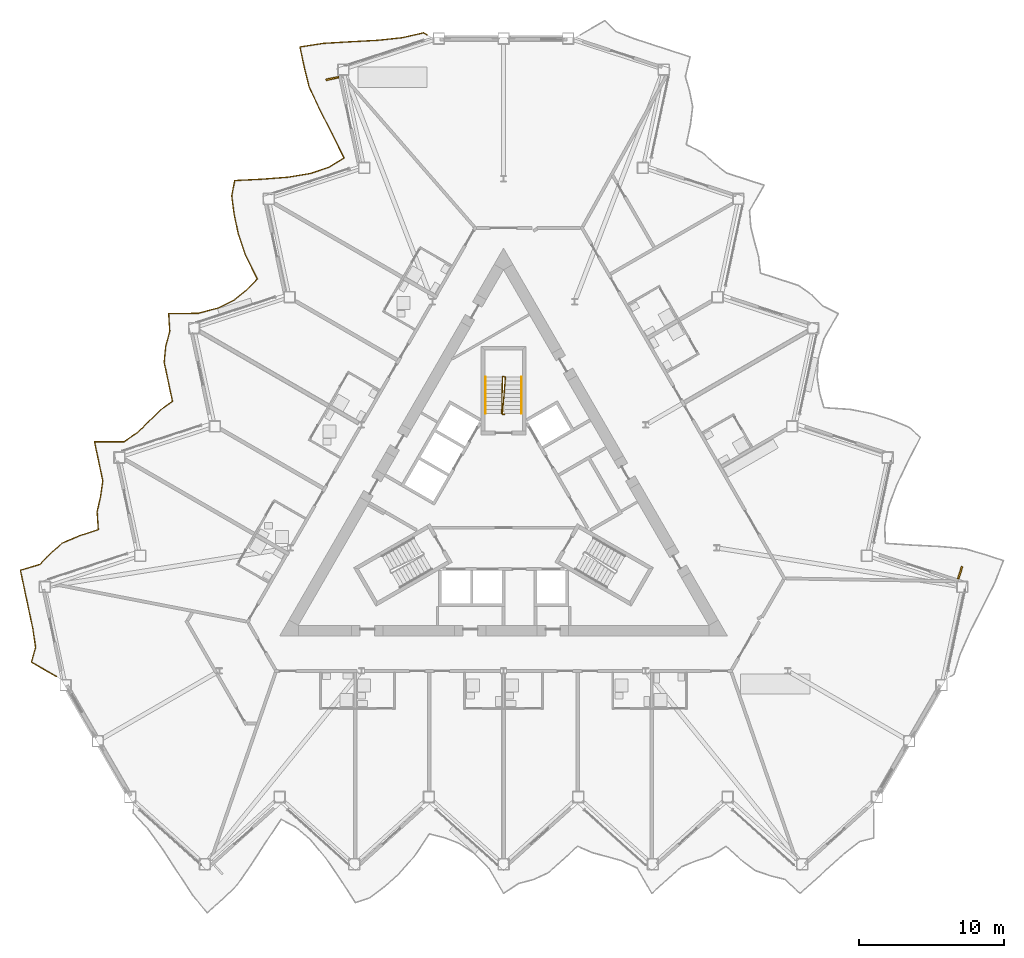
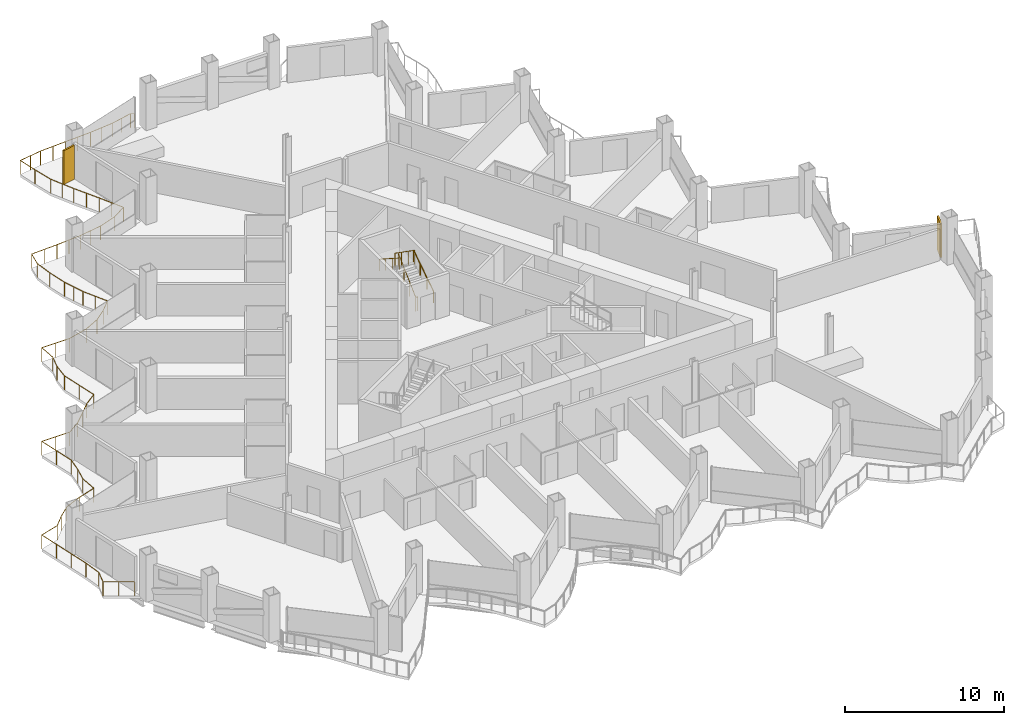
# One storey, part 20 of 23: 4 railings, 2 shading devices.
"""IFC4 building model written with IfcOpenShell, lengths in metres."""

from ifc_helpers import new_model, si_unit, direction, frame, origin, origin_2d, place, context, subcontext, project, spatial, rectangle, circle, extrude, material, layer, layer_set, type_object, element, save


model = new_model("IFC4")

# Units and contexts
model_context = context("Model", 3, precision=1e-05, world=origin(), true_north=direction((0.0, 1.0)))
body_context = subcontext(model_context, "Body", "Model", "MODEL_VIEW")
ifc_project = project(units=[si_unit("LENGTHUNIT", "METRE"), si_unit("AREAUNIT", "SQUARE_METRE"), si_unit("VOLUMEUNIT", "CUBIC_METRE"), si_unit("PLANEANGLEUNIT", "RADIAN"), si_unit("MASSUNIT", "GRAM", prefix="KILO")], contexts=[model_context])

# Site, building, storey
site_placement = place(None, origin())
site = spatial("IfcSite", under=ifc_project, at=site_placement, CompositionType="ELEMENT")
building_placement = place(site_placement, origin())
building = spatial("IfcBuilding", under=site, at=building_placement, Name="Cormorant Prow Tower", CompositionType="ELEMENT")
storey_placement = place(building_placement, frame((0.0, 0.0, 187.199951171875)))
storey = spatial("IfcBuildingStorey", under=building, at=storey_placement, Name="L40", CompositionType="ELEMENT", Elevation=187.199951171875)

# Railings
ifc_material_1 = material(Name="Aluminium 6063-T6", Category="aluminium")
railing_type_1 = type_object("IfcRailingType", Name="Balcony guard 1100", PredefinedType="GUARDRAIL", material=ifc_material_1)
railing_1_placement = place(storey_placement, frame((-5.30078125, 32.661865234375, 0.0)))
element("IfcRailing", 1, at=railing_1_placement, inside=storey, type_object=railing_type_1, Name="Balcony guard WNW", PredefinedType="GUARDRAIL", context=body_context, shape_type="SweptSolid", body=[
    extrude(circle(Radius=0.02392578125, at=origin_2d()), frame((0.0, 0.0, 1.076171875), z_axis=(-0.866065156741, 0.499931139538, 0.0), x_axis=(-0.499931139538, -0.866065156741, 0.0)), (0.0, 0.0, 1.0), 0.27001953125),
    extrude(circle(Radius=0.02392578125, at=origin_2d()), frame((-0.23388671875, 0.135009765625, 1.076171875), z_axis=(-0.974644719634, -0.223758062401, 0.0), x_axis=(0.223758062401, -0.974644719634, 0.0)), (0.0, 0.0, 1.0), 1.505615234375),
    extrude(circle(Radius=0.02392578125, at=origin_2d()), frame((-1.701416015625, -0.201904296875, 1.076171875), z_axis=(-0.994449269321, -0.105217159941, 0.0), x_axis=(0.105217159941, -0.994449269321, 0.0)), (0.0, 0.0, 1.0), 1.74267578125),
    extrude(circle(Radius=0.02392578125, at=origin_2d()), frame((-3.434326171875, -0.38525390625, 1.076171875), z_axis=(-0.99859695624, -0.052953932694, 0.0), x_axis=(0.052953932694, -0.99859695624, 0.0)), (0.0, 0.0, 1.0), 1.881103515625),
    extrude(circle(Radius=0.02392578125, at=origin_2d()), frame((-5.312744140625, -0.48486328125, 1.076171875), z_axis=(-0.998270307196, -0.058791102824, 0.0), x_axis=(0.058791102824, -0.998270307196, 0.0)), (0.0, 0.0, 1.0), 1.864501953125),
    extrude(circle(Radius=0.02392578125, at=origin_2d()), frame((-7.174072265625, -0.594482421875, 1.076171875), z_axis=(-0.98797780266, -0.154595800235, 0.0), x_axis=(0.154595800235, -0.98797780266, 0.0)), (0.0, 0.0, 1.0), 1.6328125),
    extrude(circle(Radius=0.02392578125, at=origin_2d()), frame((-8.787353515625, -0.846923828125, 1.076171875), z_axis=(0.207873566928, -0.97815570344, 0.0), x_axis=(0.97815570344, 0.207873566928, 0.0)), (0.0, 0.0, 1.0), 1.3798828125),
    extrude(circle(Radius=0.02392578125, at=origin_2d()), frame((-8.50048828125, -2.19677734375, 1.076171875), z_axis=(0.23657564466, -0.971613073375, 0.0), x_axis=(0.971613073375, 0.23657564466, 0.0)), (0.0, 0.0, 1.0), 1.41796875),
    extrude(circle(Radius=0.02392578125, at=origin_2d()), frame((-8.1650390625, -3.574462890625, 1.076171875), z_axis=(0.420257343477, -0.907404962106, 0.0), x_axis=(0.907404962106, 0.420257343477, 0.0)), (0.0, 0.0, 1.0), 1.78125),
    extrude(circle(Radius=0.02392578125, at=origin_2d()), frame((-7.41650390625, -5.190673828125, 1.076171875), z_axis=(0.456536814746, -0.889704522177, 0.0), x_axis=(0.889704522177, 0.456536814746, 0.0)), (0.0, 0.0, 1.0), 1.890869140625),
    extrude(circle(Radius=0.02392578125, at=origin_2d()), frame((-6.55322265625, -6.873046875, 1.076171875), z_axis=(0.440945101429, -0.897534075969, 0.0), x_axis=(0.897534075969, 0.440945101429, 0.0)), (0.0, 0.0, 1.0), 1.841552734375),
    extrude(circle(Radius=0.02392578125, at=origin_2d()), frame((-5.7412109375, -8.52587890625, 1.076171875), z_axis=(-0.849445527485, -0.527676317296, 0.0), x_axis=(0.527676317296, -0.849445527485, 0.0)), (0.0, 0.0, 1.0), 1.1630859375),
    extrude(circle(Radius=0.02392578125, at=origin_2d()), frame((-6.729248046875, -9.1396484375, 1.076171875), z_axis=(-0.945060911666, -0.326894284504, 0.0), x_axis=(0.326894284504, -0.945060911666, 0.0)), (0.0, 0.0, 1.0), 1.35693359375),
    extrude(circle(Radius=0.02392578125, at=origin_2d()), frame((-8.01171875, -9.583251953125, 1.076171875), z_axis=(-0.985922013231, -0.16720581278, 0.0), x_axis=(0.16720581278, -0.985922013231, 0.0)), (0.0, 0.0, 1.0), 1.607666015625),
    extrude(circle(Radius=0.02392578125, at=origin_2d()), frame((-9.5966796875, -9.85205078125, 1.076171875), z_axis=(-0.997045774989, -0.076809651581, 0.0), x_axis=(0.076809651581, -0.997045774989, 0.0)), (0.0, 0.0, 1.0), 1.81494140625),
    extrude(circle(Radius=0.02392578125, at=origin_2d()), frame((-11.40625, -9.991455078125, 1.076171875), z_axis=(-0.998824863504, -0.048465369554, 0.0), x_axis=(0.048465369554, -0.998824863504, 0.0)), (0.0, 0.0, 1.0), 1.89404296875),
    extrude(circle(Radius=0.02392578125, at=origin_2d()), frame((-13.298095703125, -10.083251953125, 1.076171875), z_axis=(-0.19234641595, -0.981327089339, 0.0), x_axis=(0.981327089339, -0.19234641595, 0.0)), (0.0, 0.0, 1.0), 1.083984375),
    extrude(circle(Radius=0.02392578125, at=origin_2d()), frame((-13.506591796875, -11.14697265625, 1.076171875), z_axis=(0.12845755255, -0.991715008051, 0.0), x_axis=(0.991715008051, 0.12845755255, 0.0)), (0.0, 0.0, 1.0), 1.29052734375),
    extrude(circle(Radius=0.02392578125, at=origin_2d()), frame((-13.3408203125, -12.4267578125, 1.076171875), z_axis=(0.208078831639, -0.97811205893, 0.0), x_axis=(0.97811205893, 0.208078831639, 0.0)), (0.0, 0.0, 1.0), 1.3798828125),
    extrude(circle(Radius=0.02392578125, at=origin_2d()), frame((-13.0537109375, -13.7763671875, 1.076171875), z_axis=(0.320795668286, -0.947148425121, 0.0), x_axis=(0.947148425121, 0.320795668286, 0.0)), (0.0, 0.0, 1.0), 1.553955078125),
    extrude(circle(Radius=0.02392578125, at=origin_2d()), frame((-12.55517578125, -15.248291015625, 1.076171875), z_axis=(0.44142979612, -0.897295790193, 0.0), x_axis=(0.897295790193, 0.44142979612, 0.0)), (0.0, 0.0, 1.0), 1.84326171875),
    extrude(circle(Radius=0.02392578125, at=origin_2d()), frame((-11.741455078125, -16.90234375, 1.076171875), z_axis=(-0.696524325423, -0.717533179786, 0.0), x_axis=(0.717533179786, -0.696524325423, 0.0)), (0.0, 0.0, 1.0), 1.0576171875),
    extrude(circle(Radius=0.02392578125, at=origin_2d()), frame((-12.47802734375, -17.6611328125, 1.076171875), z_axis=(-0.776576356837, -0.630023144021, 0.0), x_axis=(0.630023144021, -0.776576356837, 0.0)), (0.0, 0.0, 1.0), 1.097900390625),
    extrude(circle(Radius=0.02392578125, at=origin_2d()), frame((-13.33056640625, -18.352783203125, 1.076171875), z_axis=(-0.89486357373, -0.446339763422, 0.0), x_axis=(0.446339763422, -0.89486357373, 0.0)), (0.0, 0.0, 1.0), 1.229736328125),
    extrude(circle(Radius=0.02392578125, at=origin_2d()), frame((-14.430908203125, -18.901611328125, 1.076171875), z_axis=(-0.967091903603, -0.254427298036, 0.0), x_axis=(0.254427298036, -0.967091903603, 0.0)), (0.0, 0.0, 1.0), 1.45654296875),
    extrude(circle(Radius=0.02392578125, at=origin_2d()), frame((-15.839599609375, -19.272216796875, 1.076171875), z_axis=(-0.999986664005, -0.005164475925, 0.0), x_axis=(0.005164475925, -0.999986664005, 0.0)), (0.0, 0.0, 1.0), 2.03271484375),
    extrude(circle(Radius=0.02392578125, at=origin_2d()), frame((-17.872314453125, -19.28271484375, 1.076171875), z_axis=(0.064560408619, -0.997913800706, 0.0), x_axis=(0.997913800706, 0.064560408619, 0.0)), (0.0, 0.0, 1.0), 1.23291015625),
    extrude(circle(Radius=0.02392578125, at=origin_2d()), frame((-17.792724609375, -20.512939453125, 1.076171875), z_axis=(-0.262201785717, -0.965013069117, 0.0), x_axis=(0.965013069117, -0.262201785717, 0.0)), (0.0, 0.0, 1.0), 1.060546875),
    extrude(circle(Radius=0.02392578125, at=origin_2d()), frame((-18.07080078125, -21.536376953125, 1.076171875), z_axis=(-0.097786178381, -0.995207447379, 0.0), x_axis=(0.995207447379, -0.097786178381, 0.0)), (0.0, 0.0, 1.0), 1.1259765625),
    extrude(circle(Radius=0.02392578125, at=origin_2d()), frame((-18.180908203125, -22.656982421875, 1.076171875), z_axis=(0.207909545351, -0.978148056764, 0.0), x_axis=(0.978148056764, 0.207909545351, 0.0)), (0.0, 0.0, 1.0), 1.379638671875),
    extrude(circle(Radius=0.02392578125, at=origin_2d()), frame((-17.89404296875, -24.006591796875, 1.076171875), z_axis=(0.207909545351, -0.978148056764, 0.0), x_axis=(0.978148056764, 0.207909545351, 0.0)), (0.0, 0.0, 1.0), 1.379638671875),
    extrude(circle(Radius=0.02392578125, at=origin_2d()), frame((-17.607177734375, -25.356201171875, 1.076171875), z_axis=(-0.80659197974, -0.591108601036, 0.0), x_axis=(0.591108601036, -0.80659197974, 0.0)), (0.0, 0.0, 1.0), 1.12060546875),
    extrude(circle(Radius=0.02392578125, at=origin_2d()), frame((-18.510986328125, -26.0185546875, 1.076171875), z_axis=(-0.703411981113, -0.710782375152, 0.0), x_axis=(0.710782375152, -0.703411981113, 0.0)), (0.0, 0.0, 1.0), 1.06005859375),
    extrude(circle(Radius=0.02392578125, at=origin_2d()), frame((-19.256591796875, -26.77197265625, 1.076171875), z_axis=(-0.71733824833, -0.696725080274, 0.0), x_axis=(0.696725080274, -0.71733824833, 0.0)), (0.0, 0.0, 1.0), 1.06591796875),
    extrude(circle(Radius=0.02392578125, at=origin_2d()), frame((-20.021240234375, -27.5146484375, 1.076171875), z_axis=(-0.826195568919, -0.563383423521, 0.0), x_axis=(0.563383423521, -0.826195568919, 0.0)), (0.0, 0.0, 1.0), 1.137939453125),
    extrude(circle(Radius=0.02392578125, at=origin_2d()), frame((-20.96142578125, -28.15576171875, 1.076171875), z_axis=(-0.999993542812, -0.003593651927, 0.0), x_axis=(0.003593651927, -0.999993542812, 0.0)), (0.0, 0.0, 1.0), 2.0380859375),
    extrude(circle(Radius=0.02392578125, at=origin_2d()), frame((-22.99951171875, -28.1630859375, 1.076171875), z_axis=(0.207873566928, -0.97815570344, 0.0), x_axis=(0.97815570344, 0.207873566928, 0.0)), (0.0, 0.0, 1.0), 1.3798828125),
    extrude(circle(Radius=0.02392578125, at=origin_2d()), frame((-22.712646484375, -29.512939453125, 1.076171875), z_axis=(0.207909545351, -0.978148056764, 0.0), x_axis=(0.978148056764, 0.207909545351, 0.0)), (0.0, 0.0, 1.0), 1.379638671875),
    extrude(circle(Radius=0.02392578125, at=origin_2d()), frame((-22.42578125, -30.862548828125, 1.076171875), z_axis=(-0.141637897533, -0.989918535023, 0.0), x_axis=(0.989918535023, -0.141637897533, 0.0)), (0.0, 0.0, 1.0), 1.10498046875),
    extrude(circle(Radius=0.02392578125, at=origin_2d()), frame((-22.582275390625, -31.956298828125, 1.076171875), z_axis=(-0.220805245859, -0.975317919143, 0.0), x_axis=(0.975317919143, -0.220805245859, 0.0)), (0.0, 0.0, 1.0), 1.07373046875),
    extrude(circle(Radius=0.02392578125, at=origin_2d()), frame((-22.8193359375, -33.00341796875, 1.076171875), z_axis=(0.068734306145, -0.997635000969, 0.0), x_axis=(0.997635000969, 0.068734306145, 0.0)), (0.0, 0.0, 1.0), 1.236083984375),
    extrude(circle(Radius=0.02392578125, at=origin_2d()), frame((-22.734375, -34.236572265625, 1.076171875), z_axis=(-0.951027567221, -0.309106076267, 0.0), x_axis=(0.309106076267, -0.951027567221, 0.0)), (0.0, 0.0, 1.0), 1.3798828125),
    extrude(circle(Radius=0.02392578125, at=origin_2d()), frame((-24.046630859375, -34.6630859375, 1.076171875), z_axis=(-0.920623197866, -0.390452209048, 0.0), x_axis=(0.390452209048, -0.920623197866, 0.0)), (0.0, 0.0, 1.0), 1.284423828125),
    extrude(circle(Radius=0.02392578125, at=origin_2d()), frame((-25.22900390625, -35.16455078125, 1.076171875), z_axis=(-0.751192006411, -0.660083759461, 0.0), x_axis=(0.660083759461, -0.751192006411, 0.0)), (0.0, 0.0, 1.0), 1.08251953125),
    extrude(circle(Radius=0.02392578125, at=origin_2d()), frame((-26.042236328125, -35.879150390625, 1.076171875), z_axis=(-0.693690548445, -0.720273158599, 0.0), x_axis=(0.720273158599, -0.693690548445, 0.0)), (0.0, 0.0, 1.0), 1.05615234375),
    extrude(circle(Radius=0.02392578125, at=origin_2d()), frame((-26.77490234375, -36.639892578125, 1.076171875), z_axis=(-0.958163778931, -0.286220496722, 0.0), x_axis=(0.286220496722, -0.958163778931, 0.0)), (0.0, 0.0, 1.0), 1.410888671875),
    extrude(circle(Radius=0.02392578125, at=origin_2d()), frame((-28.126708984375, -37.043701171875, 1.076171875), z_axis=(0.207909545351, -0.978148056764, 0.0), x_axis=(0.978148056764, 0.207909545351, 0.0)), (0.0, 0.0, 1.0), 1.379638671875),
    extrude(circle(Radius=0.02392578125, at=origin_2d()), frame((-27.83984375, -38.393310546875, 1.076171875), z_axis=(0.207909545351, -0.978148056764, 0.0), x_axis=(0.978148056764, 0.207909545351, 0.0)), (0.0, 0.0, 1.0), 1.379638671875),
    extrude(circle(Radius=0.02392578125, at=origin_2d()), frame((-27.552978515625, -39.742919921875, 1.076171875), z_axis=(0.207873566928, -0.97815570344, 0.0), x_axis=(0.97815570344, 0.207873566928, 0.0)), (0.0, 0.0, 1.0), 1.3798828125),
    extrude(circle(Radius=0.02392578125, at=origin_2d()), frame((-27.26611328125, -41.0927734375, 1.076171875), z_axis=(0.146278178224, -0.9892434961, 0.0), x_axis=(0.9892434961, 0.146278178224, 0.0)), (0.0, 0.0, 1.0), 1.30859375),
    extrude(circle(Radius=0.02392578125, at=origin_2d()), frame((-27.07470703125, -42.38720703125, 1.076171875), z_axis=(-0.272830477593, -0.962062124032, 0.0), x_axis=(0.962062124032, -0.272830477593, 0.0)), (0.0, 0.0, 1.0), 1.0576171875),
    extrude(circle(Radius=0.02392578125, at=origin_2d()), frame((-27.36328125, -43.40478515625, 1.076171875), z_axis=(0.866042919053, -0.499969661438, 0.0), x_axis=(0.499969661438, 0.866042919053, 0.0)), (0.0, 0.0, 1.0), 1.99462890625),
    extrude(circle(Radius=0.02099609375, at=origin_2d()), origin(), (0.0, 0.0, 1.0), 1.052001953125),
    extrude(circle(Radius=0.02099609375, at=origin_2d()), frame((-0.23388671875, 0.135009765625, 0.0)), (0.0, 0.0, 1.0), 1.052001953125),
    extrude(circle(Radius=0.02099609375, at=origin_2d()), frame((-0.9677734375, -0.033447265625, 0.0)), (0.0, 0.0, 1.0), 1.052001953125),
    extrude(circle(Radius=0.02099609375, at=origin_2d()), frame((-1.701416015625, -0.201904296875, 0.0)), (0.0, 0.0, 1.0), 1.052001953125),
    extrude(circle(Radius=0.02099609375, at=origin_2d()), frame((-2.56787109375, -0.29345703125, 0.0)), (0.0, 0.0, 1.0), 1.052001953125),
    extrude(circle(Radius=0.02099609375, at=origin_2d()), frame((-3.434326171875, -0.38525390625, 0.0)), (0.0, 0.0, 1.0), 1.052001953125),
    extrude(circle(Radius=0.02099609375, at=origin_2d()), frame((-4.37353515625, -0.43505859375, 0.0)), (0.0, 0.0, 1.0), 1.052001953125),
    extrude(circle(Radius=0.02099609375, at=origin_2d()), frame((-5.312744140625, -0.48486328125, 0.0)), (0.0, 0.0, 1.0), 1.052001953125),
    extrude(circle(Radius=0.02099609375, at=origin_2d()), frame((-6.243408203125, -0.53955078125, 0.0)), (0.0, 0.0, 1.0), 1.052001953125),
    extrude(circle(Radius=0.02099609375, at=origin_2d()), frame((-7.174072265625, -0.594482421875, 0.0)), (0.0, 0.0, 1.0), 1.052001953125),
    extrude(circle(Radius=0.02099609375, at=origin_2d()), frame((-7.980712890625, -0.720703125, 0.0)), (0.0, 0.0, 1.0), 1.052001953125),
    extrude(circle(Radius=0.02099609375, at=origin_2d()), frame((-8.787353515625, -0.846923828125, 0.0)), (0.0, 0.0, 1.0), 1.052001953125),
    extrude(circle(Radius=0.02099609375, at=origin_2d()), frame((-8.50048828125, -2.19677734375, 0.0)), (0.0, 0.0, 1.0), 1.052001953125),
    extrude(circle(Radius=0.02099609375, at=origin_2d()), frame((-8.1650390625, -3.574462890625, 0.0)), (0.0, 0.0, 1.0), 1.052001953125),
    extrude(circle(Radius=0.02099609375, at=origin_2d()), frame((-7.790771484375, -4.382568359375, 0.0)), (0.0, 0.0, 1.0), 1.052001953125),
    extrude(circle(Radius=0.02099609375, at=origin_2d()), frame((-7.41650390625, -5.190673828125, 0.0)), (0.0, 0.0, 1.0), 1.052001953125),
    extrude(circle(Radius=0.02099609375, at=origin_2d()), frame((-6.98486328125, -6.03173828125, 0.0)), (0.0, 0.0, 1.0), 1.052001953125),
    extrude(circle(Radius=0.02099609375, at=origin_2d()), frame((-6.55322265625, -6.873046875, 0.0)), (0.0, 0.0, 1.0), 1.052001953125),
    extrude(circle(Radius=0.02099609375, at=origin_2d()), frame((-6.147216796875, -7.699462890625, 0.0)), (0.0, 0.0, 1.0), 1.052001953125),
    extrude(circle(Radius=0.02099609375, at=origin_2d()), frame((-5.7412109375, -8.52587890625, 0.0)), (0.0, 0.0, 1.0), 1.052001953125),
    extrude(circle(Radius=0.02099609375, at=origin_2d()), frame((-6.729248046875, -9.1396484375, 0.0)), (0.0, 0.0, 1.0), 1.052001953125),
    extrude(circle(Radius=0.02099609375, at=origin_2d()), frame((-8.01171875, -9.583251953125, 0.0)), (0.0, 0.0, 1.0), 1.052001953125),
    extrude(circle(Radius=0.02099609375, at=origin_2d()), frame((-8.80419921875, -9.7177734375, 0.0)), (0.0, 0.0, 1.0), 1.052001953125),
    extrude(circle(Radius=0.02099609375, at=origin_2d()), frame((-9.5966796875, -9.85205078125, 0.0)), (0.0, 0.0, 1.0), 1.052001953125),
    extrude(circle(Radius=0.02099609375, at=origin_2d()), frame((-10.50146484375, -9.921875, 0.0)), (0.0, 0.0, 1.0), 1.052001953125),
    extrude(circle(Radius=0.02099609375, at=origin_2d()), frame((-11.40625, -9.991455078125, 0.0)), (0.0, 0.0, 1.0), 1.052001953125),
    extrude(circle(Radius=0.02099609375, at=origin_2d()), frame((-12.35205078125, -10.037353515625, 0.0)), (0.0, 0.0, 1.0), 1.052001953125),
    extrude(circle(Radius=0.02099609375, at=origin_2d()), frame((-13.298095703125, -10.083251953125, 0.0)), (0.0, 0.0, 1.0), 1.052001953125),
    extrude(circle(Radius=0.02099609375, at=origin_2d()), frame((-13.506591796875, -11.14697265625, 0.0)), (0.0, 0.0, 1.0), 1.052001953125),
    extrude(circle(Radius=0.02099609375, at=origin_2d()), frame((-13.3408203125, -12.4267578125, 0.0)), (0.0, 0.0, 1.0), 1.052001953125),
    extrude(circle(Radius=0.02099609375, at=origin_2d()), frame((-13.0537109375, -13.7763671875, 0.0)), (0.0, 0.0, 1.0), 1.052001953125),
    extrude(circle(Radius=0.02099609375, at=origin_2d()), frame((-12.804443359375, -14.51220703125, 0.0)), (0.0, 0.0, 1.0), 1.052001953125),
    extrude(circle(Radius=0.02099609375, at=origin_2d()), frame((-12.55517578125, -15.248291015625, 0.0)), (0.0, 0.0, 1.0), 1.052001953125),
    extrude(circle(Radius=0.02099609375, at=origin_2d()), frame((-12.1484375, -16.0751953125, 0.0)), (0.0, 0.0, 1.0), 1.052001953125),
    extrude(circle(Radius=0.02099609375, at=origin_2d()), frame((-11.741455078125, -16.90234375, 0.0)), (0.0, 0.0, 1.0), 1.052001953125),
    extrude(circle(Radius=0.02099609375, at=origin_2d()), frame((-12.47802734375, -17.6611328125, 0.0)), (0.0, 0.0, 1.0), 1.052001953125),
    extrude(circle(Radius=0.02099609375, at=origin_2d()), frame((-13.33056640625, -18.352783203125, 0.0)), (0.0, 0.0, 1.0), 1.052001953125),
    extrude(circle(Radius=0.02099609375, at=origin_2d()), frame((-14.430908203125, -18.901611328125, 0.0)), (0.0, 0.0, 1.0), 1.052001953125),
    extrude(circle(Radius=0.02099609375, at=origin_2d()), frame((-15.839599609375, -19.272216796875, 0.0)), (0.0, 0.0, 1.0), 1.052001953125),
    extrude(circle(Radius=0.02099609375, at=origin_2d()), frame((-16.85595703125, -19.27734375, 0.0)), (0.0, 0.0, 1.0), 1.052001953125),
    extrude(circle(Radius=0.02099609375, at=origin_2d()), frame((-17.872314453125, -19.28271484375, 0.0)), (0.0, 0.0, 1.0), 1.052001953125),
    extrude(circle(Radius=0.02099609375, at=origin_2d()), frame((-17.792724609375, -20.512939453125, 0.0)), (0.0, 0.0, 1.0), 1.052001953125),
    extrude(circle(Radius=0.02099609375, at=origin_2d()), frame((-18.07080078125, -21.536376953125, 0.0)), (0.0, 0.0, 1.0), 1.052001953125),
    extrude(circle(Radius=0.02099609375, at=origin_2d()), frame((-18.180908203125, -22.656982421875, 0.0)), (0.0, 0.0, 1.0), 1.052001953125),
    extrude(circle(Radius=0.02099609375, at=origin_2d()), frame((-17.89404296875, -24.006591796875, 0.0)), (0.0, 0.0, 1.0), 1.052001953125),
    extrude(circle(Radius=0.02099609375, at=origin_2d()), frame((-17.607177734375, -25.356201171875, 0.0)), (0.0, 0.0, 1.0), 1.052001953125),
    extrude(circle(Radius=0.02099609375, at=origin_2d()), frame((-18.510986328125, -26.0185546875, 0.0)), (0.0, 0.0, 1.0), 1.052001953125),
    extrude(circle(Radius=0.02099609375, at=origin_2d()), frame((-19.256591796875, -26.77197265625, 0.0)), (0.0, 0.0, 1.0), 1.052001953125),
    extrude(circle(Radius=0.02099609375, at=origin_2d()), frame((-20.021240234375, -27.5146484375, 0.0)), (0.0, 0.0, 1.0), 1.052001953125),
    extrude(circle(Radius=0.02099609375, at=origin_2d()), frame((-20.96142578125, -28.15576171875, 0.0)), (0.0, 0.0, 1.0), 1.052001953125),
    extrude(circle(Radius=0.02099609375, at=origin_2d()), frame((-21.98046875, -28.159423828125, 0.0)), (0.0, 0.0, 1.0), 1.052001953125),
    extrude(circle(Radius=0.02099609375, at=origin_2d()), frame((-22.99951171875, -28.1630859375, 0.0)), (0.0, 0.0, 1.0), 1.052001953125),
    extrude(circle(Radius=0.02099609375, at=origin_2d()), frame((-22.712646484375, -29.512939453125, 0.0)), (0.0, 0.0, 1.0), 1.052001953125),
    extrude(circle(Radius=0.02099609375, at=origin_2d()), frame((-22.42578125, -30.862548828125, 0.0)), (0.0, 0.0, 1.0), 1.052001953125),
    extrude(circle(Radius=0.02099609375, at=origin_2d()), frame((-22.582275390625, -31.956298828125, 0.0)), (0.0, 0.0, 1.0), 1.052001953125),
    extrude(circle(Radius=0.02099609375, at=origin_2d()), frame((-22.8193359375, -33.00341796875, 0.0)), (0.0, 0.0, 1.0), 1.052001953125),
    extrude(circle(Radius=0.02099609375, at=origin_2d()), frame((-22.734375, -34.236572265625, 0.0)), (0.0, 0.0, 1.0), 1.052001953125),
    extrude(circle(Radius=0.02099609375, at=origin_2d()), frame((-24.046630859375, -34.6630859375, 0.0)), (0.0, 0.0, 1.0), 1.052001953125),
    extrude(circle(Radius=0.02099609375, at=origin_2d()), frame((-25.22900390625, -35.16455078125, 0.0)), (0.0, 0.0, 1.0), 1.052001953125),
    extrude(circle(Radius=0.02099609375, at=origin_2d()), frame((-26.042236328125, -35.879150390625, 0.0)), (0.0, 0.0, 1.0), 1.052001953125),
    extrude(circle(Radius=0.02099609375, at=origin_2d()), frame((-26.77490234375, -36.639892578125, 0.0)), (0.0, 0.0, 1.0), 1.052001953125),
    extrude(circle(Radius=0.02099609375, at=origin_2d()), frame((-28.126708984375, -37.043701171875, 0.0)), (0.0, 0.0, 1.0), 1.052001953125),
    extrude(circle(Radius=0.02099609375, at=origin_2d()), frame((-27.83984375, -38.393310546875, 0.0)), (0.0, 0.0, 1.0), 1.052001953125),
    extrude(circle(Radius=0.02099609375, at=origin_2d()), frame((-27.552978515625, -39.742919921875, 0.0)), (0.0, 0.0, 1.0), 1.052001953125),
    extrude(circle(Radius=0.02099609375, at=origin_2d()), frame((-27.26611328125, -41.0927734375, 0.0)), (0.0, 0.0, 1.0), 1.052001953125),
    extrude(circle(Radius=0.02099609375, at=origin_2d()), frame((-27.07470703125, -42.38720703125, 0.0)), (0.0, 0.0, 1.0), 1.052001953125),
    extrude(circle(Radius=0.02099609375, at=origin_2d()), frame((-27.36328125, -43.40478515625, 0.0)), (0.0, 0.0, 1.0), 1.052001953125),
    extrude(circle(Radius=0.02099609375, at=origin_2d()), frame((-26.49951171875, -43.9033203125, 0.0)), (0.0, 0.0, 1.0), 1.052001953125),
    extrude(circle(Radius=0.02099609375, at=origin_2d()), frame((-25.6357421875, -44.402099609375, 0.0)), (0.0, 0.0, 1.0), 1.052001953125),
])
ifc_material_2 = material(Name="Stainless steel", Category="steel")
railing_type_2 = type_object("IfcRailingType", Name="Stair guard 1100", PredefinedType="GUARDRAIL", material=ifc_material_2)
railing_2_placement = place(storey_placement, frame((0.074951171875, 6.40576171875, 0.0)))
element("IfcRailing", 2, at=railing_2_placement, inside=storey, type_object=railing_type_2, Name="L40 ST3 stair guard 1", PredefinedType="GUARDRAIL", context=body_context, shape_type="SweptSolid", body=[
    extrude(circle(Radius=0.02392578125, at=origin_2d()), frame((0.0, 0.0, 1.076171875), z_axis=(-1.0, 0.0, 0.0), x_axis=(0.0, -1.0, 0.0)), (0.0, 0.0, 1.0), 0.14990234375),
    extrude(circle(Radius=0.02392578125, at=origin_2d()), frame((-0.14990234375, 0.0, 1.076171875), z_axis=(0.063595540489, 0.817423998443, 0.572515164864), x_axis=(-0.996987254287, 0.077565551559, 0.0)), (0.0, 0.0, 1.0), 3.14404296875),
    extrude(circle(Radius=0.02392578125, at=origin_2d()), frame((0.050048828125, 2.570068359375, 2.8759765625), z_axis=(-0.970072785993, 0.242814311512, 0.0), x_axis=(-0.242814311512, -0.970072785993, 0.0)), (0.0, 0.0, 1.0), 0.2060546875),
    extrude(circle(Radius=0.02392578125, at=origin_2d()), frame((-0.14990234375, 2.6201171875, 2.8759765625), z_axis=(-0.01594855688, -0.818977845239, 0.573603462805), x_axis=(0.999810440751, -0.019470042781, 0.0)), (0.0, 0.0, 1.0), 3.13818359375),
    extrude(circle(Radius=0.02099609375, at=origin_2d()), origin(), (0.0, 0.0, 1.0), 1.052001953125),
    extrude(circle(Radius=0.02099609375, at=origin_2d()), frame((-0.14990234375, 0.0, 0.0)), (0.0, 0.0, 1.0), 1.052001953125),
    extrude(circle(Radius=0.02099609375, at=origin_2d()), frame((-0.083251953125, 0.856689453125, 0.60009765625)), (0.0, 0.0, 1.0), 1.052001953125),
    extrude(circle(Radius=0.02099609375, at=origin_2d()), frame((-0.0166015625, 1.71337890625, 1.199951171875)), (0.0, 0.0, 1.0), 1.052001953125),
    extrude(circle(Radius=0.02099609375, at=origin_2d()), frame((0.050048828125, 2.570068359375, 1.800048828125)), (0.0, 0.0, 1.0), 1.052001953125),
    extrude(circle(Radius=0.02099609375, at=origin_2d()), frame((-0.14990234375, 2.6201171875, 1.800048828125)), (0.0, 0.0, 1.0), 1.052001953125),
    extrude(circle(Radius=0.02099609375, at=origin_2d()), frame((-0.16650390625, 1.763427734375, 2.400146484375)), (0.0, 0.0, 1.0), 1.052001953125),
    extrude(circle(Radius=0.02099609375, at=origin_2d()), frame((-0.183349609375, 0.90673828125, 3.0)), (0.0, 0.0, 1.0), 1.052001953125),
    extrude(circle(Radius=0.02099609375, at=origin_2d()), frame((-0.199951171875, 0.050048828125, 3.60009765625)), (0.0, 0.0, 1.0), 1.052001953125),
])
ifc_material_3 = material(Name="Stainless steel", Category="steel")
railing_type_3 = type_object("IfcRailingType", Name="Stair handrail 900", PredefinedType="HANDRAIL", material=ifc_material_3)
railing_3_placement = place(storey_placement, frame((1.243896484375, 6.455810546875, 0.179931640625)))
element("IfcRailing", 3, at=railing_3_placement, inside=storey, type_object=railing_type_3, Name="L40 ST3 stair handrail 1", PredefinedType="HANDRAIL", context=body_context, shape_type="SweptSolid", body=[
    extrude(circle(Radius=0.02392578125, at=origin_2d()), frame((0.0, 0.0, 0.8759765625), z_axis=(0.0, 0.841162588446, 0.540782303519), x_axis=(-1.0, 0.0, 0.0)), (0.0, 0.0, 1.0), 2.995849609375),
    extrude(circle(Radius=0.02099609375, at=origin_2d()), origin(), (0.0, 0.0, 1.0), 0.851806640625),
    extrude(circle(Radius=0.02099609375, at=origin_2d()), frame((0.0, 0.840087890625, 0.5400390625)), (0.0, 0.0, 1.0), 0.851806640625),
    extrude(circle(Radius=0.02099609375, at=origin_2d()), frame((0.0, 1.679931640625, 1.080078125)), (0.0, 0.0, 1.0), 0.851806640625),
    extrude(circle(Radius=0.02099609375, at=origin_2d()), frame((0.0, 2.52001953125, 1.6201171875)), (0.0, 0.0, 1.0), 0.851806640625),
])
railing_4_placement = place(storey_placement, frame((-1.243896484375, 8.975830078125, 1.97998046875)))
element("IfcRailing", 4, at=railing_4_placement, inside=storey, type_object=railing_type_3, Name="L40 ST3 stair handrail 2", PredefinedType="HANDRAIL", context=body_context, shape_type="SweptSolid", body=[
    extrude(circle(Radius=0.02392578125, at=origin_2d()), frame((0.0, 0.0, 0.8759765625), z_axis=(0.0, -0.841162588446, 0.540782303519), x_axis=(1.0, 0.0, 0.0)), (0.0, 0.0, 1.0), 2.995849609375),
    extrude(circle(Radius=0.02099609375, at=origin_2d()), origin(), (0.0, 0.0, 1.0), 0.851806640625),
    extrude(circle(Radius=0.02099609375, at=origin_2d()), frame((0.0, -0.840087890625, 0.5400390625)), (0.0, 0.0, 1.0), 0.851806640625),
    extrude(circle(Radius=0.02099609375, at=origin_2d()), frame((0.0, -1.679931640625, 1.080078125)), (0.0, 0.0, 1.0), 0.851806640625),
    extrude(circle(Radius=0.02099609375, at=origin_2d()), frame((0.0, -2.52001953125, 1.6201171875)), (0.0, 0.0, 1.0), 0.851806640625),
])

# Shading devices
ifc_material_4 = material(Name="Terracotta", Category="masonry")
ifc_layer = layer(ifc_material_4, 0.1201171875)
ifc_layer_set = layer_set([ifc_layer], Name="Terracotta")
shading_device_type = type_object("IfcShadingDeviceType", Name="Terracotta baguette fin 120x900x2600", PredefinedType="USERDEFINED", material=ifc_layer_set)
for number, where, z_axis, x_axis, name in (
    (5, (31.58349609375, -4.559814453125, 0.0), (0.0, 0.0, 1.0), (-0.951056527314, 0.309016960463, 0.0), "Baguette fin ENE01"),
    (6, (-11.843017578125, 29.632080078125, 0.0), (0.0, 0.0, 1.0), (0.207911594993, -0.978147621102, 0.0), "Baguette fin WNW01"),
):
    element("IfcShadingDevice", number, at=place(storey_placement, frame(where, z_axis=z_axis, x_axis=x_axis)), inside=storey, type_object=shading_device_type, Name=name, ObjectType="BAGUETTE", PredefinedType="USERDEFINED", context=body_context, shape_type="SweptSolid", body=[
        extrude(rectangle(XDim=0.1201171875, YDim=0.89990234375, at=origin_2d()), origin(), (0.0, 0.0, 1.0), 2.60009765625),
    ])

save(model, "model.ifc")
